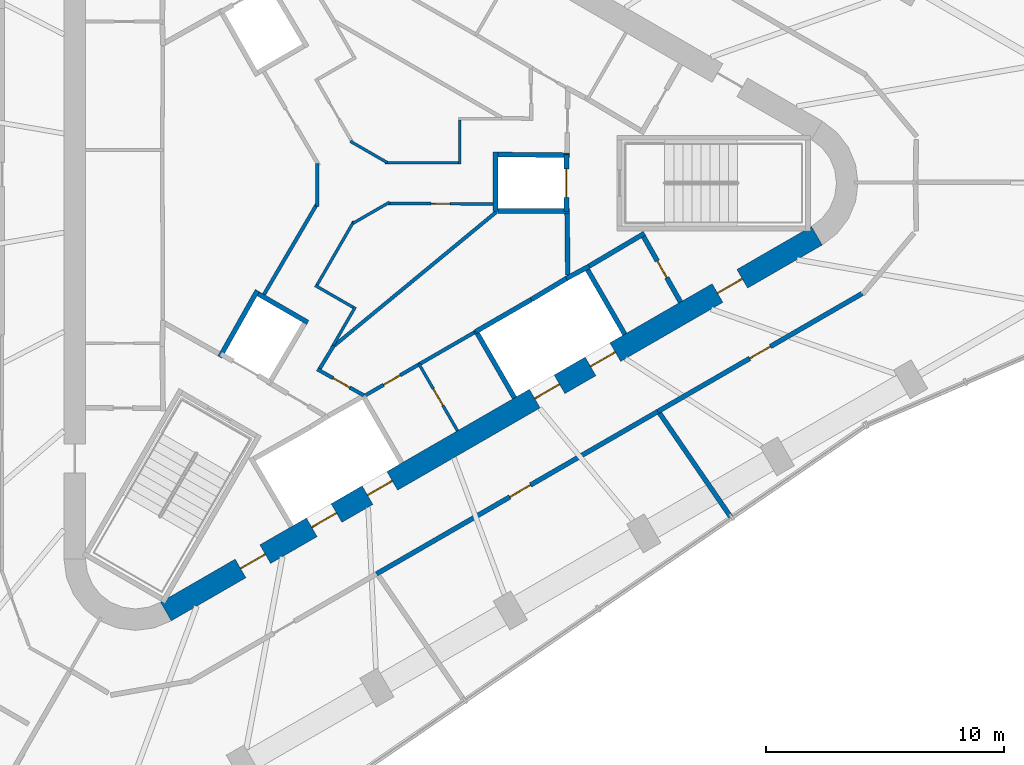
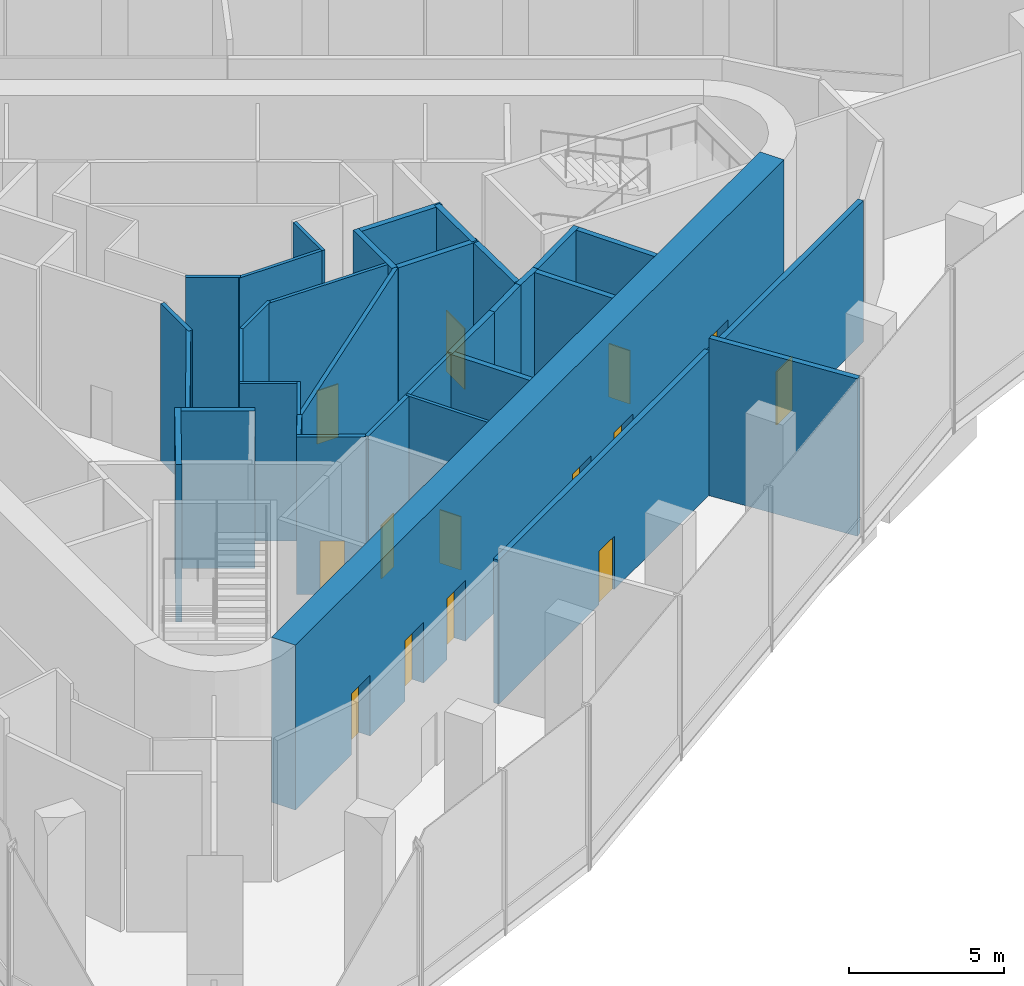
# One storey, part 8 of 13: 33 walls, 14 doors, 14 openings.
"""IFC4 building model written with IfcOpenShell, lengths in metres."""

from ifc_helpers import new_model, si_unit, direction, frame, frame_2d, origin, place, context, subcontext, project, spatial, rectangle, extrude, material, layer, layer_set, type_object, element, fill, save


model = new_model("IFC4")

# Units and contexts
model_context = context("Model", 3, precision=1e-05, world=origin(), true_north=direction((0.0, 1.0)))
body_context = subcontext(model_context, "Body", "Model", "MODEL_VIEW")
ifc_project = project(units=[si_unit("LENGTHUNIT", "METRE"), si_unit("AREAUNIT", "SQUARE_METRE"), si_unit("VOLUMEUNIT", "CUBIC_METRE"), si_unit("PLANEANGLEUNIT", "RADIAN"), si_unit("MASSUNIT", "GRAM", prefix="KILO")], contexts=[model_context])

# Site, building, storey
site_placement = place(None, origin())
site = spatial("IfcSite", under=ifc_project, at=site_placement, CompositionType="ELEMENT")
building_placement = place(site_placement, origin())
building = spatial("IfcBuilding", under=site, at=building_placement, Name="Tanit Gate Tower", CompositionType="ELEMENT")
storey_placement = place(building_placement, frame((0.0, 0.0, 398.300048828125)))
storey = spatial("IfcBuildingStorey", under=building, at=storey_placement, Name="L91", CompositionType="ELEMENT", Elevation=398.300048828125)

# Wall, openings, doors
ifc_material_1 = material(Name="Concrete C40/50", Category="concrete")
ifc_layer_1 = layer(ifc_material_1, 0.89990234375)
ifc_layer_set_1 = layer_set([ifc_layer_1], Name="CORE WALL 900 C40/50")
wall_type_1 = type_object("IfcWallType", Name="CORE WALL 900 C40/50", PredefinedType="SHEAR", material=ifc_layer_set_1)
wall_1_placement = place(storey_placement, frame((-7.824951171875, -17.969970703125, 0.0), z_axis=(0.0, 0.0, 1.0), x_axis=(0.866028369851, 0.499994862586, 0.0)))
wall_1 = element("IfcWall", 1, at=wall_1_placement, inside=storey, type_object=wall_type_1, Name="CORE WALL", PredefinedType="SHEAR", context=body_context, shape_type="SweptSolid", body=[
    extrude(rectangle(XDim=31.523193359375, YDim=0.89990234375, at=frame_2d((15.76171875, 0.0))), origin(), (0.0, 0.0, 1.0), 6.5),
])
opening_1_placement = place(wall_1_placement, frame((7.061767578125, 0.0, 0.0)))
opening_1 = element("IfcOpeningElement", 2, at=opening_1_placement, cuts=wall_1, Name="Opening LDOL1-91", PredefinedType="OPENING", context=body_context, shape_type="SweptSolid", body=[
    extrude(rectangle(XDim=1.199951171875, YDim=2.39990234375, at=frame_2d((0.60009765625, 1.199951171875))), frame((0.0, 0.4599609375, 0.0), z_axis=(0.0, -1.0, 0.0), x_axis=(1.0, 0.0, 0.0)), (0.0, 0.0, 1.0), 0.919921875),
])
opening_2_placement = place(wall_1_placement, frame((9.76171875, 0.0, 0.0)))
opening_2 = element("IfcOpeningElement", 3, at=opening_2_placement, cuts=wall_1, Name="Opening LDOL2-91", PredefinedType="OPENING", context=body_context, shape_type="SweptSolid", body=[
    extrude(rectangle(XDim=1.199951171875, YDim=2.39990234375, at=frame_2d((0.60009765625, 1.199951171875))), frame((0.0, 0.4599609375, 0.0), z_axis=(0.0, -1.0, 0.0), x_axis=(1.0, 0.0, 0.0)), (0.0, 0.0, 1.0), 0.919921875),
])
opening_3_placement = place(wall_1_placement, frame((17.861572265625, 0.0, 0.0)))
opening_3 = element("IfcOpeningElement", 4, at=opening_3_placement, cuts=wall_1, Name="Opening LDSV1-91", PredefinedType="OPENING", context=body_context, shape_type="SweptSolid", body=[
    extrude(rectangle(XDim=1.199951171875, YDim=2.39990234375, at=frame_2d((0.60009765625, 1.199951171875))), frame((0.0, 0.4599609375, 0.0), z_axis=(0.0, -1.0, 0.0), x_axis=(1.0, 0.0, 0.0)), (0.0, 0.0, 1.0), 0.919921875),
])
opening_4_placement = place(wall_1_placement, frame((20.561767578125, 0.0, 0.0)))
opening_4 = element("IfcOpeningElement", 5, at=opening_4_placement, cuts=wall_1, Name="Opening LDSV2-91", PredefinedType="OPENING", context=body_context, shape_type="SweptSolid", body=[
    extrude(rectangle(XDim=1.199951171875, YDim=2.39990234375, at=frame_2d((0.60009765625, 1.199951171875))), frame((0.0, 0.4599609375, 0.0), z_axis=(0.0, -1.0, 0.0), x_axis=(1.0, 0.0, 0.0)), (0.0, 0.0, 1.0), 0.919921875),
])
opening_5_placement = place(wall_1_placement, frame((26.711669921875, 0.0, 0.0)))
opening_5 = element("IfcOpeningElement", 6, at=opening_5_placement, cuts=wall_1, Name="Opening F12-91-S1", PredefinedType="OPENING", context=body_context, shape_type="SweptSolid", body=[
    extrude(rectangle(XDim=1.199951171875, YDim=2.39990234375, at=frame_2d((0.60009765625, 1.199951171875))), frame((0.0, 0.4599609375, 0.0), z_axis=(0.0, -1.0, 0.0), x_axis=(1.0, 0.0, 0.0)), (0.0, 0.0, 1.0), 0.919921875),
])
opening_6_placement = place(wall_1_placement, frame((3.611572265625, 0.0, 0.0)))
opening_6 = element("IfcOpeningElement", 7, at=opening_6_placement, cuts=wall_1, Name="Opening F12-91-FL3", PredefinedType="OPENING", context=body_context, shape_type="SweptSolid", body=[
    extrude(rectangle(XDim=1.199951171875, YDim=2.39990234375, at=frame_2d((0.60009765625, 1.199951171875))), frame((0.0, 0.4599609375, 0.0), z_axis=(0.0, -1.0, 0.0), x_axis=(1.0, 0.0, 0.0)), (0.0, 0.0, 1.0), 0.919921875),
])
ifc_material_2 = material(Name="Fire-rated steel door leaf", Category="steel")
door_type_1 = type_object("IfcDoorType", Name="INT-DOOR-FIRE-LOBBY-1200", OperationType="NOTDEFINED", PredefinedType="USERDEFINED", material=ifc_material_2)
door_1_placement = place(opening_5_placement, origin())
door_1 = element("IfcDoor", 8, at=door_1_placement, inside=storey, type_object=door_type_1, Name="Door F12-91-S1", ObjectType="FIRE DOOR", OperationType="SINGLE_SWING_LEFT", OverallHeight=2.39990234375, OverallWidth=1.199951171875, PredefinedType="USERDEFINED", context=body_context, shape_type="SweptSolid", body=[
    extrude(rectangle(XDim=1.199951171875, YDim=2.39990234375, at=frame_2d((0.60009765625, 1.199951171875))), frame((0.0, 0.02490234375, 0.0), z_axis=(0.0, -1.0, 0.0), x_axis=(1.0, 0.0, 0.0)), (0.0, 0.0, 1.0), 0.050048828125),
])
fill(opening_5, door_1)
door_2_placement = place(opening_6_placement, origin())
door_2 = element("IfcDoor", 9, at=door_2_placement, inside=storey, type_object=door_type_1, Name="Door F12-91-FL3", ObjectType="FIRE DOOR", OperationType="SINGLE_SWING_RIGHT", OverallHeight=2.39990234375, OverallWidth=1.199951171875, PredefinedType="USERDEFINED", context=body_context, shape_type="SweptSolid", body=[
    extrude(rectangle(XDim=1.199951171875, YDim=2.39990234375, at=frame_2d((0.60009765625, 1.199951171875))), frame((0.0, 0.02490234375, 0.0), z_axis=(0.0, -1.0, 0.0), x_axis=(1.0, 0.0, 0.0)), (0.0, 0.0, 1.0), 0.050048828125),
])
fill(opening_6, door_2)
ifc_material_3 = material(Name="Stainless steel sliding door leaf", Category="steel")
door_type_2 = type_object("IfcDoorType", Name="INT-DOOR-LANDING-1200", OperationType="NOTDEFINED", PredefinedType="USERDEFINED", material=ifc_material_3)
door_3_placement = place(opening_1_placement, origin())
door_3 = element("IfcDoor", 10, at=door_3_placement, inside=storey, type_object=door_type_2, Name="Door LDOL1-91", ObjectType="LANDING DOOR", OperationType="SLIDING_TO_LEFT", OverallHeight=2.39990234375, OverallWidth=1.199951171875, PredefinedType="USERDEFINED", context=body_context, shape_type="SweptSolid", body=[
    extrude(rectangle(XDim=1.199951171875, YDim=2.39990234375, at=frame_2d((0.60009765625, 1.199951171875))), frame((0.0, 0.02490234375, 0.0), z_axis=(0.0, -1.0, 0.0), x_axis=(1.0, 0.0, 0.0)), (0.0, 0.0, 1.0), 0.050048828125),
])
fill(opening_1, door_3)
door_4_placement = place(opening_2_placement, origin())
door_4 = element("IfcDoor", 11, at=door_4_placement, inside=storey, type_object=door_type_2, Name="Door LDOL2-91", ObjectType="LANDING DOOR", OperationType="SLIDING_TO_LEFT", OverallHeight=2.39990234375, OverallWidth=1.199951171875, PredefinedType="USERDEFINED", context=body_context, shape_type="SweptSolid", body=[
    extrude(rectangle(XDim=1.199951171875, YDim=2.39990234375, at=frame_2d((0.60009765625, 1.199951171875))), frame((0.0, 0.02490234375, 0.0), z_axis=(0.0, -1.0, 0.0), x_axis=(1.0, 0.0, 0.0)), (0.0, 0.0, 1.0), 0.050048828125),
])
fill(opening_2, door_4)
door_5_placement = place(opening_3_placement, origin())
door_5 = element("IfcDoor", 12, at=door_5_placement, inside=storey, type_object=door_type_2, Name="Door LDSV1-91", ObjectType="LANDING DOOR", OperationType="SLIDING_TO_LEFT", OverallHeight=2.39990234375, OverallWidth=1.199951171875, PredefinedType="USERDEFINED", context=body_context, shape_type="SweptSolid", body=[
    extrude(rectangle(XDim=1.199951171875, YDim=2.39990234375, at=frame_2d((0.60009765625, 1.199951171875))), frame((0.0, 0.02490234375, 0.0), z_axis=(0.0, -1.0, 0.0), x_axis=(1.0, 0.0, 0.0)), (0.0, 0.0, 1.0), 0.050048828125),
])
fill(opening_3, door_5)
door_6_placement = place(opening_4_placement, origin())
door_6 = element("IfcDoor", 13, at=door_6_placement, inside=storey, type_object=door_type_2, Name="Door LDSV2-91", ObjectType="LANDING DOOR", OperationType="SLIDING_TO_LEFT", OverallHeight=2.39990234375, OverallWidth=1.199951171875, PredefinedType="USERDEFINED", context=body_context, shape_type="SweptSolid", body=[
    extrude(rectangle(XDim=1.199951171875, YDim=2.39990234375, at=frame_2d((0.60009765625, 1.199951171875))), frame((0.0, 0.02490234375, 0.0), z_axis=(0.0, -1.0, 0.0), x_axis=(1.0, 0.0, 0.0)), (0.0, 0.0, 1.0), 0.050048828125),
])
fill(opening_4, door_6)

# Wall
ifc_material_4 = material(Name="Fire-rated gypsum board partition")
ifc_layer_2 = layer(ifc_material_4, 0.199951171875)
ifc_layer_set_2 = layer_set([ifc_layer_2], Name="INT-WALL-COMPARTMENT")
wall_type_2 = type_object("IfcWallType", Name="INT-WALL-COMPARTMENT", PredefinedType="PARTITIONING", material=ifc_layer_set_2)
wall_2_placement = place(storey_placement, frame((12.244873046875, -2.10888671875, 0.0), z_axis=(0.0, 0.0, 1.0), x_axis=(-0.860414880418, -0.509594185166, 0.0)))
element("IfcWall", 14, at=wall_2_placement, inside=storey, type_object=wall_type_2, Name="Wall Compartment W065", PredefinedType="PARTITIONING", context=body_context, shape_type="SweptSolid", body=[
    extrude(rectangle(XDim=2.7001953125, YDim=0.199951171875, at=frame_2d((1.35009765625, 0.0))), origin(), (0.0, 0.0, 1.0), 6.199951171875),
])

# Wall, opening, door
wall_3_placement = place(storey_placement, frame((13.758056640625, -4.989501953125, 0.0), z_axis=(0.0, 0.0, 1.0), x_axis=(-0.491993409184, 0.87059892334, 0.0)))
wall_3 = element("IfcWall", 15, at=wall_3_placement, inside=storey, type_object=wall_type_2, Name="Wall Compartment W066", PredefinedType="PARTITIONING", context=body_context, shape_type="SweptSolid", body=[
    extrude(rectangle(XDim=3.150146484375, YDim=0.199951171875, at=frame_2d((1.5751953125, 0.0))), origin(), (0.0, 0.0, 1.0), 6.199951171875),
])
opening_7_placement = place(wall_3_placement, frame((1.175048828125, 0.0, 0.0)))
opening_7 = element("IfcOpeningElement", 16, at=opening_7_placement, cuts=wall_3, Name="Opening R08-91-24", PredefinedType="OPENING", context=body_context, shape_type="SweptSolid", body=[
    extrude(rectangle(XDim=0.800048828125, YDim=2.10009765625, at=frame_2d((0.39990234375, 1.050048828125))), frame((0.0, 0.10986328125, 0.0), z_axis=(0.0, -1.0, 0.0), x_axis=(1.0, 0.0, 0.0)), (0.0, 0.0, 1.0), 0.219970703125),
])
ifc_material_5 = material(Name="Timber door leaf", Category="wood")
door_type_3 = type_object("IfcDoorType", Name="INT-DOOR-RISER-800", OperationType="NOTDEFINED", PredefinedType="USERDEFINED", material=ifc_material_5)
door_7_placement = place(opening_7_placement, origin())
door_7 = element("IfcDoor", 17, at=door_7_placement, inside=storey, type_object=door_type_3, Name="Door R08-91-24", ObjectType="FIRE DOOR", OperationType="SINGLE_SWING_RIGHT", OverallHeight=2.10009765625, OverallWidth=0.800048828125, PredefinedType="USERDEFINED", context=body_context, shape_type="SweptSolid", body=[
    extrude(rectangle(XDim=0.800048828125, YDim=2.10009765625, at=frame_2d((0.39990234375, 1.050048828125))), frame((0.0, 0.02490234375, 0.0), z_axis=(0.0, -1.0, 0.0), x_axis=(1.0, 0.0, 0.0)), (0.0, 0.0, 1.0), 0.050048828125),
])
fill(opening_7, door_7)

# Wall
wall_4_placement = place(storey_placement, frame((9.02880859375, -3.8505859375, 0.0), z_axis=(0.0, 0.0, 1.0), x_axis=(-0.010784614026, 0.999941844359, 0.0)))
element("IfcWall", 18, at=wall_4_placement, inside=storey, type_object=wall_type_2, Name="Wall Compartment W067", PredefinedType="PARTITIONING", context=body_context, shape_type="SweptSolid", body=[
    extrude(rectangle(XDim=2.580810546875, YDim=0.199951171875, at=frame_2d((1.29052734375, 0.0))), origin(), (0.0, 0.0, 1.0), 6.199951171875),
])

# Wall, opening, door
wall_5_placement = place(storey_placement, frame((1.00927734375, -16.391357421875, 0.0), z_axis=(0.0, 0.0, 1.0), x_axis=(0.866026744585, 0.499997677658, 0.0)))
wall_5 = element("IfcWall", 19, at=wall_5_placement, inside=storey, type_object=wall_type_2, Name="Wall Compartment W132", PredefinedType="PARTITIONING", context=body_context, shape_type="SweptSolid", body=[
    extrude(rectangle(XDim=13.61669921875, YDim=0.199951171875, at=frame_2d((6.808349609375, 0.0))), origin(), (0.0, 0.0, 1.0), 5.669921875),
])
opening_8_placement = place(wall_5_placement, frame((6.456298828125, 0.0, 0.0)))
opening_8 = element("IfcOpeningElement", 20, at=opening_8_placement, cuts=wall_5, Name="Opening F10-91-33", PredefinedType="OPENING", context=body_context, shape_type="SweptSolid", body=[
    extrude(rectangle(XDim=1.0, YDim=2.10009765625, at=frame_2d((0.5, 1.050048828125))), frame((0.0, 0.10986328125, 0.0), z_axis=(0.0, -1.0, 0.0), x_axis=(1.0, 0.0, 0.0)), (0.0, 0.0, 1.0), 0.219970703125),
])
ifc_material_6 = material(Name="Fire-rated steel door leaf", Category="steel")
door_type_4 = type_object("IfcDoorType", Name="INT-DOOR-FIRE-1000", OperationType="NOTDEFINED", PredefinedType="USERDEFINED", material=ifc_material_6)
door_8_placement = place(opening_8_placement, origin())
door_8 = element("IfcDoor", 21, at=door_8_placement, inside=storey, type_object=door_type_4, Name="Door F10-91-33", ObjectType="FIRE DOOR", OperationType="SINGLE_SWING_LEFT", OverallHeight=2.10009765625, OverallWidth=1.0, PredefinedType="USERDEFINED", context=body_context, shape_type="SweptSolid", body=[
    extrude(rectangle(XDim=1.0, YDim=2.10009765625, at=frame_2d((0.5, 1.050048828125))), frame((0.0, 0.02490234375, 0.0), z_axis=(0.0, -1.0, 0.0), x_axis=(1.0, 0.0, 0.0)), (0.0, 0.0, 1.0), 0.050048828125),
])
fill(opening_8, door_8)

wall_6_placement = place(storey_placement, frame((12.8017578125, -9.5830078125, 0.0), z_axis=(0.0, 0.0, 1.0), x_axis=(0.866025905529, 0.499999130952, 0.0)))
wall_6 = element("IfcWall", 22, at=wall_6_placement, inside=storey, type_object=wall_type_2, Name="Wall Compartment W135", PredefinedType="PARTITIONING", context=body_context, shape_type="SweptSolid", body=[
    extrude(rectangle(XDim=9.904296875, YDim=0.199951171875, at=frame_2d((4.9521484375, 0.0))), origin(), (0.0, 0.0, 1.0), 5.570068359375),
])
opening_9_placement = place(wall_6_placement, frame((4.456298828125, 0.0, 0.0)))
opening_9 = element("IfcOpeningElement", 23, at=opening_9_placement, cuts=wall_6, Name="Opening F10-91-34", PredefinedType="OPENING", context=body_context, shape_type="SweptSolid", body=[
    extrude(rectangle(XDim=1.0, YDim=2.10009765625, at=frame_2d((0.5, 1.050048828125))), frame((0.0, 0.10986328125, 0.0), z_axis=(0.0, -1.0, 0.0), x_axis=(1.0, 0.0, 0.0)), (0.0, 0.0, 1.0), 0.219970703125),
])
door_9_placement = place(opening_9_placement, origin())
door_9 = element("IfcDoor", 24, at=door_9_placement, inside=storey, type_object=door_type_4, Name="Door F10-91-34", ObjectType="FIRE DOOR", OperationType="SINGLE_SWING_LEFT", OverallHeight=2.10009765625, OverallWidth=1.0, PredefinedType="USERDEFINED", context=body_context, shape_type="SweptSolid", body=[
    extrude(rectangle(XDim=1.0, YDim=2.10009765625, at=frame_2d((0.5, 1.050048828125))), frame((0.0, 0.02490234375, 0.0), z_axis=(0.0, -1.0, 0.0), x_axis=(1.0, 0.0, 0.0)), (0.0, 0.0, 1.0), 0.050048828125),
])
fill(opening_9, door_9)

# Wall
wall_7_placement = place(storey_placement, frame((12.879150390625, -9.65380859375, 0.0), z_axis=(0.0, 0.0, 1.0), x_axis=(0.565899563161, -0.824474186627, 0.0)))
element("IfcWall", 25, at=wall_7_placement, inside=storey, type_object=wall_type_2, Name="Wall Compartment W137", PredefinedType="PARTITIONING", context=body_context, shape_type="SweptSolid", body=[
    extrude(rectangle(XDim=5.303466796875, YDim=0.199951171875, at=frame_2d((2.65185546875, 0.0))), origin(), (0.0, 0.0, 1.0), 6.199951171875),
])

# Wall, opening, door
ifc_material_7 = material(Name="Gypsum board partition")
ifc_layer_3 = layer(ifc_material_7, 0.1201171875)
ifc_layer_set_3 = layer_set([ifc_layer_3], Name="INT-WALL-PARTITION")
wall_type_3 = type_object("IfcWallType", Name="INT-WALL-PARTITION", PredefinedType="PARTITIONING", material=ifc_layer_set_3)
wall_8_placement = place(storey_placement, frame((4.40478515625, -10.389404296875, 0.0), z_axis=(0.0, 0.0, 1.0), x_axis=(-0.500017246033, 0.866015446554, 0.0)))
wall_8 = element("IfcWall", 26, at=wall_8_placement, inside=storey, type_object=wall_type_3, Name="Wall Partition W062", PredefinedType="PARTITIONING", context=body_context, shape_type="SweptSolid", body=[
    extrude(rectangle(XDim=3.25, YDim=0.1201171875, at=frame_2d((1.625, 0.0))), origin(), (0.0, 0.0, 1.0), 6.199951171875),
])
opening_10_placement = place(wall_8_placement, frame((1.22509765625, 0.0, 0.0)))
opening_10 = element("IfcOpeningElement", 27, at=opening_10_placement, cuts=wall_8, Name="Opening R08-91-23", PredefinedType="OPENING", context=body_context, shape_type="SweptSolid", body=[
    extrude(rectangle(XDim=0.800048828125, YDim=2.10009765625, at=frame_2d((0.39990234375, 1.050048828125))), frame((0.0, 0.070068359375, 0.0), z_axis=(0.0, -1.0, 0.0), x_axis=(1.0, 0.0, 0.0)), (0.0, 0.0, 1.0), 0.14013671875),
])
door_10_placement = place(opening_10_placement, origin())
door_10 = element("IfcDoor", 28, at=door_10_placement, inside=storey, type_object=door_type_3, Name="Door R08-91-23", ObjectType="FIRE DOOR", OperationType="SINGLE_SWING_LEFT", OverallHeight=2.10009765625, OverallWidth=0.800048828125, PredefinedType="USERDEFINED", context=body_context, shape_type="SweptSolid", body=[
    extrude(rectangle(XDim=0.800048828125, YDim=2.10009765625, at=frame_2d((0.39990234375, 1.050048828125))), frame((0.0, 0.02490234375, 0.0), z_axis=(0.0, -1.0, 0.0), x_axis=(1.0, 0.0, 0.0)), (0.0, 0.0, 1.0), 0.050048828125),
])
fill(opening_10, door_10)

# Walls
wall_9_placement = place(storey_placement, frame((0.1181640625, -5.195068359375, 0.0), z_axis=(0.0, 0.0, 1.0), x_axis=(-0.499969367985, -0.866043088465, 0.0)))
element("IfcWall", 29, at=wall_9_placement, inside=storey, type_object=wall_type_3, Name="Wall Partition W079", PredefinedType="PARTITIONING", context=body_context, shape_type="SweptSolid", body=[
    extrude(rectangle(XDim=1.93994140625, YDim=0.1201171875, at=frame_2d((0.969970703125, 0.0))), origin(), (0.0, 0.0, 1.0), 6.199951171875),
])
wall_10_placement = place(storey_placement, frame((-1.56591796875, -4.292236328125, 0.0), z_axis=(0.0, 0.0, 1.0), x_axis=(0.866091100096, -0.499886193382, 0.0)))
element("IfcWall", 30, at=wall_10_placement, inside=storey, type_object=wall_type_3, Name="Wall Partition W080", PredefinedType="PARTITIONING", context=body_context, shape_type="SweptSolid", body=[
    extrude(rectangle(XDim=1.85009765625, YDim=0.1201171875, at=frame_2d((0.925048828125, 0.0))), origin(), (0.0, 0.0, 1.0), 6.199951171875),
])
wall_11_placement = place(storey_placement, frame((0.052001953125, -1.610107421875, 0.0), z_axis=(0.0, 0.0, 1.0), x_axis=(-0.500011413361, -0.866018814177, 0.0)))
element("IfcWall", 31, at=wall_11_placement, inside=storey, type_object=wall_type_3, Name="Wall Partition W081", PredefinedType="PARTITIONING", context=body_context, shape_type="SweptSolid", body=[
    extrude(rectangle(XDim=3.07177734375, YDim=0.1201171875, at=frame_2d((1.535888671875, 0.0))), origin(), (0.0, 0.0, 1.0), 6.199951171875),
])
wall_12_placement = place(storey_placement, frame((1.560791015625, -0.798828125, 0.0), z_axis=(0.0, 0.0, 1.0), x_axis=(-0.866019189511, -0.500010763282, 0.0)))
element("IfcWall", 32, at=wall_12_placement, inside=storey, type_object=wall_type_3, Name="Wall Partition W082", PredefinedType="PARTITIONING", context=body_context, shape_type="SweptSolid", body=[
    extrude(rectangle(XDim=1.78369140625, YDim=0.1201171875, at=frame_2d((0.891845703125, 0.0))), origin(), (0.0, 0.0, 1.0), 6.199951171875),
])

# Wall, opening, door
wall_13_placement = place(storey_placement, frame((5.89990234375, -0.87890625, 0.0), z_axis=(0.0, 0.0, 1.0), x_axis=(-0.999978650839, 0.006534360439, 0.0)))
wall_13 = element("IfcWall", 33, at=wall_13_placement, inside=storey, type_object=wall_type_3, Name="Wall Partition W083", PredefinedType="PARTITIONING", context=body_context, shape_type="SweptSolid", body=[
    extrude(rectangle(XDim=4.40869140625, YDim=0.1201171875, at=frame_2d((2.204345703125, 0.0))), origin(), (0.0, 0.0, 1.0), 6.199951171875),
])
opening_11_placement = place(wall_13_placement, frame((1.804443359375, 0.0, 0.0)))
opening_11 = element("IfcOpeningElement", 34, at=opening_11_placement, cuts=wall_13, Name="Opening R08-91-12", PredefinedType="OPENING", context=body_context, shape_type="SweptSolid", body=[
    extrude(rectangle(XDim=0.800048828125, YDim=2.10009765625, at=frame_2d((0.39990234375, 1.050048828125))), frame((0.0, 0.070068359375, 0.0), z_axis=(0.0, -1.0, 0.0), x_axis=(1.0, 0.0, 0.0)), (0.0, 0.0, 1.0), 0.14013671875),
])
door_11_placement = place(opening_11_placement, origin())
door_11 = element("IfcDoor", 35, at=door_11_placement, inside=storey, type_object=door_type_3, Name="Door R08-91-12", ObjectType="FIRE DOOR", OperationType="SINGLE_SWING_RIGHT", OverallHeight=2.10009765625, OverallWidth=0.800048828125, PredefinedType="USERDEFINED", context=body_context, shape_type="SweptSolid", body=[
    extrude(rectangle(XDim=0.800048828125, YDim=2.10009765625, at=frame_2d((0.39990234375, 1.050048828125))), frame((0.0, 0.02490234375, 0.0), z_axis=(0.0, -1.0, 0.0), x_axis=(1.0, 0.0, 0.0)), (0.0, 0.0, 1.0), 0.050048828125),
])
fill(opening_11, door_11)

# Walls
wall_14_placement = place(storey_placement, frame((4.5, 0.7900390625, 0.0), z_axis=(0.0, 0.0, 1.0), x_axis=(0.0, 1.0, 0.0)))
element("IfcWall", 36, at=wall_14_placement, inside=storey, type_object=wall_type_3, Name="Wall Partition W090", PredefinedType="PARTITIONING", context=body_context, shape_type="SweptSolid", body=[
    extrude(rectangle(XDim=1.849853515625, YDim=0.1201171875, at=frame_2d((0.9248046875, 0.0))), origin(), (0.0, 0.0, 1.0), 6.199951171875),
])
wall_15_placement = place(storey_placement, frame((1.368408203125, 0.85009765625, 0.0), z_axis=(0.0, 0.0, 1.0), x_axis=(1.0, 0.0, 0.0)))
element("IfcWall", 37, at=wall_15_placement, inside=storey, type_object=wall_type_3, Name="Wall Partition W091", PredefinedType="PARTITIONING", context=body_context, shape_type="SweptSolid", body=[
    extrude(rectangle(XDim=3.071533203125, YDim=0.1201171875, at=frame_2d((1.53564453125, 0.0))), origin(), (0.0, 0.0, 1.0), 6.199951171875),
])
wall_16_placement = place(storey_placement, frame((-0.090087890625, 1.751953125, 0.0), z_axis=(0.0, 0.0, 1.0), x_axis=(0.866046676307, -0.4999631531, 0.0)))
element("IfcWall", 38, at=wall_16_placement, inside=storey, type_object=wall_type_3, Name="Wall Partition W092", PredefinedType="PARTITIONING", context=body_context, shape_type="SweptSolid", body=[
    extrude(rectangle(XDim=1.785400390625, YDim=0.1201171875, at=frame_2d((0.892578125, 0.0))), origin(), (0.0, 0.0, 1.0), 6.199951171875),
])

# Wall, opening, door
ifc_material_8 = material(Name="Fire-rated gypsum board partition")
ifc_layer_4 = layer(ifc_material_8, 0.14990234375)
ifc_layer_set_4 = layer_set([ifc_layer_4], Name="INT-WALL-RISER")
wall_type_4 = type_object("IfcWallType", Name="INT-WALL-RISER", PredefinedType="PLUMBINGWALL", material=ifc_layer_set_4)
wall_17_placement = place(storey_placement, frame((0.482666015625, -8.935791015625, 0.0), z_axis=(0.0, 0.0, 1.0), x_axis=(0.866028230842, 0.499995103361, 0.0)))
wall_17 = element("IfcWall", 39, at=wall_17_placement, inside=storey, type_object=wall_type_4, Name="Wall Riser W063", PredefinedType="PLUMBINGWALL", context=body_context, shape_type="SweptSolid", body=[
    extrude(rectangle(XDim=5.39990234375, YDim=0.14990234375, at=frame_2d((2.699951171875, 0.0))), origin(), (0.0, 0.0, 1.0), 6.199951171875),
])
opening_12_placement = place(wall_17_placement, frame((0.949951171875, 0.0, 0.0)))
opening_12 = element("IfcOpeningElement", 40, at=opening_12_placement, cuts=wall_17, Name="Opening R08-91-25", PredefinedType="OPENING", context=body_context, shape_type="SweptSolid", body=[
    extrude(rectangle(XDim=0.800048828125, YDim=2.10009765625, at=frame_2d((0.39990234375, 1.050048828125))), frame((0.0, 0.0849609375, 0.0), z_axis=(0.0, -1.0, 0.0), x_axis=(1.0, 0.0, 0.0)), (0.0, 0.0, 1.0), 0.169921875),
])
door_12_placement = place(opening_12_placement, origin())
door_12 = element("IfcDoor", 41, at=door_12_placement, inside=storey, type_object=door_type_3, Name="Door R08-91-25", ObjectType="FIRE DOOR", OperationType="SINGLE_SWING_RIGHT", OverallHeight=2.10009765625, OverallWidth=0.800048828125, PredefinedType="USERDEFINED", context=body_context, shape_type="SweptSolid", body=[
    extrude(rectangle(XDim=0.800048828125, YDim=2.10009765625, at=frame_2d((0.39990234375, 1.050048828125))), frame((0.0, 0.02490234375, 0.0), z_axis=(0.0, -1.0, 0.0), x_axis=(1.0, 0.0, 0.0)), (0.0, 0.0, 1.0), 0.050048828125),
])
fill(opening_12, door_12)

# Walls
wall_18_placement = place(storey_placement, frame((-1.47216796875, -0.97802734375, 0.0), z_axis=(0.0, 0.0, 1.0), x_axis=(0.0, 1.0, 0.0)))
element("IfcWall", 42, at=wall_18_placement, inside=storey, type_object=wall_type_4, Name="Wall Riser W074", PredefinedType="PLUMBINGWALL", context=body_context, shape_type="SweptSolid", body=[
    extrude(rectangle(XDim=1.804443359375, YDim=0.14990234375, at=frame_2d((0.90234375, 0.0))), origin(), (0.0, 0.0, 1.0), 6.199951171875),
])
wall_19_placement = place(storey_placement, frame((-3.711181640625, -4.670166015625, 0.0), z_axis=(0.0, 0.0, 1.0), x_axis=(0.505648368764, 0.86273966361, 0.0)))
element("IfcWall", 43, at=wall_19_placement, inside=storey, type_object=wall_type_4, Name="Wall Riser W075", PredefinedType="PLUMBINGWALL", context=body_context, shape_type="SweptSolid", body=[
    extrude(rectangle(XDim=4.404296875, YDim=0.14990234375, at=frame_2d((2.2021484375, 0.0))), origin(), (0.0, 0.0, 1.0), 6.199951171875),
])
wall_20_placement = place(storey_placement, frame((6.04638671875, -1.199951171875, 0.0), z_axis=(0.0, 0.0, 1.0), x_axis=(-0.771489624803, -0.636241902755, 0.0)))
element("IfcWall", 44, at=wall_20_placement, inside=storey, type_object=wall_type_4, Name="Wall Riser W076", PredefinedType="PLUMBINGWALL", context=body_context, shape_type="SweptSolid", body=[
    extrude(rectangle(XDim=8.960693359375, YDim=0.14990234375, at=frame_2d((4.48046875, 0.0))), origin(), (0.0, 0.0, 1.0), 6.199951171875),
])

# Wall, opening, door
wall_21_placement = place(storey_placement, frame((-1.47705078125, -7.808349609375, 0.0), z_axis=(0.0, 0.0, 1.0), x_axis=(0.871822901869, -0.48982122022, 0.0)))
wall_21 = element("IfcWall", 45, at=wall_21_placement, inside=storey, type_object=wall_type_4, Name="Wall Riser W077", PredefinedType="PLUMBINGWALL", context=body_context, shape_type="SweptSolid", body=[
    extrude(rectangle(XDim=2.239501953125, YDim=0.14990234375, at=frame_2d((1.11962890625, 0.0))), origin(), (0.0, 0.0, 1.0), 6.199951171875),
])
opening_13_placement = place(wall_21_placement, frame((0.75732421875, 0.0, 0.0)))
opening_13 = element("IfcOpeningElement", 46, at=opening_13_placement, cuts=wall_21, Name="Opening R08-91-11", PredefinedType="OPENING", context=body_context, shape_type="SweptSolid", body=[
    extrude(rectangle(XDim=0.800048828125, YDim=2.10009765625, at=frame_2d((0.39990234375, 1.050048828125))), frame((0.0, 0.0849609375, 0.0), z_axis=(0.0, -1.0, 0.0), x_axis=(1.0, 0.0, 0.0)), (0.0, 0.0, 1.0), 0.169921875),
])
door_13_placement = place(opening_13_placement, origin())
door_13 = element("IfcDoor", 47, at=door_13_placement, inside=storey, type_object=door_type_3, Name="Door R08-91-11", ObjectType="FIRE DOOR", OperationType="SINGLE_SWING_RIGHT", OverallHeight=2.10009765625, OverallWidth=0.800048828125, PredefinedType="USERDEFINED", context=body_context, shape_type="SweptSolid", body=[
    extrude(rectangle(XDim=0.800048828125, YDim=2.10009765625, at=frame_2d((0.39990234375, 1.050048828125))), frame((0.0, 0.02490234375, 0.0), z_axis=(0.0, -1.0, 0.0), x_axis=(1.0, 0.0, 0.0)), (0.0, 0.0, 1.0), 0.050048828125),
])
fill(opening_13, door_13)

# Walls
wall_22_placement = place(storey_placement, frame((-0.78662109375, -6.8212890625, 0.0), z_axis=(0.0, 0.0, 1.0), x_axis=(-0.520993333897, -0.853560745369, 0.0)))
element("IfcWall", 48, at=wall_22_placement, inside=storey, type_object=wall_type_4, Name="Wall Riser W078", PredefinedType="PLUMBINGWALL", context=body_context, shape_type="SweptSolid", body=[
    extrude(rectangle(XDim=1.124755859375, YDim=0.14990234375, at=frame_2d((0.5625, 0.0))), origin(), (0.0, 0.0, 1.0), 6.199951171875),
])
ifc_material_9 = material(Name="Gypsum shaft wall system")
ifc_layer_5 = layer(ifc_material_9, 0.199951171875)
ifc_layer_set_5 = layer_set([ifc_layer_5], Name="INT-WALL-SHAFT")
wall_type_5 = type_object("IfcWallType", Name="INT-WALL-SHAFT", PredefinedType="PLUMBINGWALL", material=ifc_layer_set_5)
wall_23_placement = place(storey_placement, frame((6.795166015625, -9.009521484375, 0.0), z_axis=(0.0, 0.0, 1.0), x_axis=(-0.499984717929, 0.866034226713, 0.0)))
element("IfcWall", 49, at=wall_23_placement, inside=storey, type_object=wall_type_5, Name="Wall Shaft W006", PredefinedType="PLUMBINGWALL", context=body_context, shape_type="SweptSolid", body=[
    extrude(rectangle(XDim=3.25, YDim=0.199951171875, at=frame_2d((1.625, 0.0))), origin(), (0.0, 0.0, 1.0), 6.199951171875),
])
wall_24_placement = place(storey_placement, frame((5.1591796875, -6.23583984375, 0.0), z_axis=(0.0, 0.0, 1.0), x_axis=(0.866036505625, 0.499980770555, 0.0)))
element("IfcWall", 50, at=wall_24_placement, inside=storey, type_object=wall_type_5, Name="Wall Shaft W007", PredefinedType="PLUMBINGWALL", context=body_context, shape_type="SweptSolid", body=[
    extrude(rectangle(XDim=2.69970703125, YDim=0.199951171875, at=frame_2d((1.349853515625, 0.0))), origin(), (0.0, 0.0, 1.0), 6.199951171875),
])
wall_25_placement = place(storey_placement, frame((9.794677734375, -3.52490234375, 0.0), z_axis=(0.0, 0.0, 1.0), x_axis=(0.499984717929, -0.866034226713, 0.0)))
element("IfcWall", 51, at=wall_25_placement, inside=storey, type_object=wall_type_5, Name="Wall Shaft W008", PredefinedType="PLUMBINGWALL", context=body_context, shape_type="SweptSolid", body=[
    extrude(rectangle(XDim=3.25, YDim=0.199951171875, at=frame_2d((1.625, 0.0))), origin(), (0.0, 0.0, 1.0), 6.199951171875),
])
wall_26_placement = place(storey_placement, frame((8.97412109375, -3.998779296875, 0.0), z_axis=(0.0, 0.0, 1.0), x_axis=(0.880907015104, 0.473289373154, 0.0)))
element("IfcWall", 52, at=wall_26_placement, inside=storey, type_object=wall_type_5, Name="Wall Shaft W009", PredefinedType="PLUMBINGWALL", context=body_context, shape_type="SweptSolid", body=[
    extrude(rectangle(XDim=1.078125, YDim=0.199951171875, at=frame_2d((0.5390625, 0.0))), origin(), (0.0, 0.0, 1.0), 6.199951171875),
])
wall_27_placement = place(storey_placement, frame((7.497314453125, -4.885986328125, 0.0), z_axis=(0.0, 0.0, 1.0), x_axis=(0.857516281273, 0.51445682749, 0.0)))
element("IfcWall", 53, at=wall_27_placement, inside=storey, type_object=wall_type_5, Name="Wall Shaft W010", PredefinedType="PLUMBINGWALL", context=body_context, shape_type="SweptSolid", body=[
    extrude(rectangle(XDim=1.8447265625, YDim=0.199951171875, at=frame_2d((0.92236328125, 0.0))), origin(), (0.0, 0.0, 1.0), 6.199951171875),
])

# Wall, opening, door
wall_28_placement = place(storey_placement, frame((8.969970703125, 1.199951171875, 0.0), z_axis=(0.0, 0.0, 1.0), x_axis=(0.0, -1.0, 0.0)))
wall_28 = element("IfcWall", 54, at=wall_28_placement, inside=storey, type_object=wall_type_5, Name="Wall Shaft W015", PredefinedType="PLUMBINGWALL", context=body_context, shape_type="SweptSolid", body=[
    extrude(rectangle(XDim=2.39990234375, YDim=0.199951171875, at=frame_2d((1.199951171875, 0.0))), origin(), (0.0, 0.0, 1.0), 6.199951171875),
])
opening_14_placement = place(wall_28_placement, frame((0.60009765625, 0.0, 0.0)))
opening_14 = element("IfcOpeningElement", 55, at=opening_14_placement, cuts=wall_28, Name="Opening LDFL1-L91", PredefinedType="OPENING", context=body_context, shape_type="SweptSolid", body=[
    extrude(rectangle(XDim=1.199951171875, YDim=2.39990234375, at=frame_2d((0.60009765625, 1.199951171875))), frame((0.0, 0.10986328125, 0.0), z_axis=(0.0, -1.0, 0.0), x_axis=(1.0, 0.0, 0.0)), (0.0, 0.0, 1.0), 0.219970703125),
])
door_14_placement = place(opening_14_placement, origin())
door_14 = element("IfcDoor", 56, at=door_14_placement, inside=storey, type_object=door_type_2, Name="Door LDFL1-L91", ObjectType="LANDING DOOR", OperationType="SLIDING_TO_LEFT", OverallHeight=2.39990234375, OverallWidth=1.199951171875, PredefinedType="USERDEFINED", context=body_context, shape_type="SweptSolid", body=[
    extrude(rectangle(XDim=1.199951171875, YDim=2.39990234375, at=frame_2d((0.60009765625, 1.199951171875))), frame((0.0, 0.02490234375, 0.0), z_axis=(0.0, -1.0, 0.0), x_axis=(1.0, 0.0, 0.0)), (0.0, 0.0, 1.0), 0.050048828125),
])
fill(opening_14, door_14)

# Walls
wall_29_placement = place(storey_placement, frame((9.10009765625, -1.169921875, 0.0), z_axis=(0.0, 0.0, 1.0), x_axis=(-0.999998675455, -0.001627602011, 0.0)))
element("IfcWall", 57, at=wall_29_placement, inside=storey, type_object=wall_type_5, Name="Wall Shaft W016", PredefinedType="PLUMBINGWALL", context=body_context, shape_type="SweptSolid", body=[
    extrude(rectangle(XDim=3.0, YDim=0.199951171875, at=frame_2d((1.5, 0.0))), origin(), (0.0, 0.0, 1.0), 6.199951171875),
])
wall_30_placement = place(storey_placement, frame((6.0, -1.199951171875, 0.0), z_axis=(0.0, 0.0, 1.0), x_axis=(0.0, 1.0, 0.0)))
element("IfcWall", 58, at=wall_30_placement, inside=storey, type_object=wall_type_5, Name="Wall Shaft W017", PredefinedType="PLUMBINGWALL", context=body_context, shape_type="SweptSolid", body=[
    extrude(rectangle(XDim=2.5, YDim=0.199951171875, at=frame_2d((1.25, 0.0))), origin(), (0.0, 0.0, 1.0), 6.199951171875),
])
wall_31_placement = place(storey_placement, frame((9.10009765625, 1.1689453125, 0.0), z_axis=(0.0, 0.0, 1.0), x_axis=(-0.99994990606, 0.010009264196, 0.0)))
element("IfcWall", 59, at=wall_31_placement, inside=storey, type_object=wall_type_5, Name="Wall Shaft W019", PredefinedType="PLUMBINGWALL", context=body_context, shape_type="SweptSolid", body=[
    extrude(rectangle(XDim=3.000244140625, YDim=0.199951171875, at=frame_2d((1.5, 0.0))), origin(), (0.0, 0.0, 1.0), 6.199951171875),
])
wall_32_placement = place(storey_placement, frame((-5.5625, -7.29638671875, 0.0), z_axis=(0.0, 0.0, 1.0), x_axis=(0.491358283181, 0.870957540612, 0.0)))
element("IfcWall", 60, at=wall_32_placement, inside=storey, type_object=wall_type_5, Name="Wall Shaft W034", PredefinedType="PLUMBINGWALL", context=body_context, shape_type="SweptSolid", body=[
    extrude(rectangle(XDim=3.200439453125, YDim=0.199951171875, at=frame_2d((1.60009765625, 0.0))), origin(), (0.0, 0.0, 1.0), 6.199951171875),
])
wall_33_placement = place(storey_placement, frame((-3.95263671875, -4.646240234375, 0.0), z_axis=(0.0, 0.0, 1.0), x_axis=(0.866024647952, -0.500001309137, 0.0)))
element("IfcWall", 61, at=wall_33_placement, inside=storey, type_object=wall_type_5, Name="Wall Shaft W035", PredefinedType="PLUMBINGWALL", context=body_context, shape_type="SweptSolid", body=[
    extrude(rectangle(XDim=2.39990234375, YDim=0.199951171875, at=frame_2d((1.199951171875, 0.0))), origin(), (0.0, 0.0, 1.0), 6.199951171875),
])

save(model, "model.ifc")
